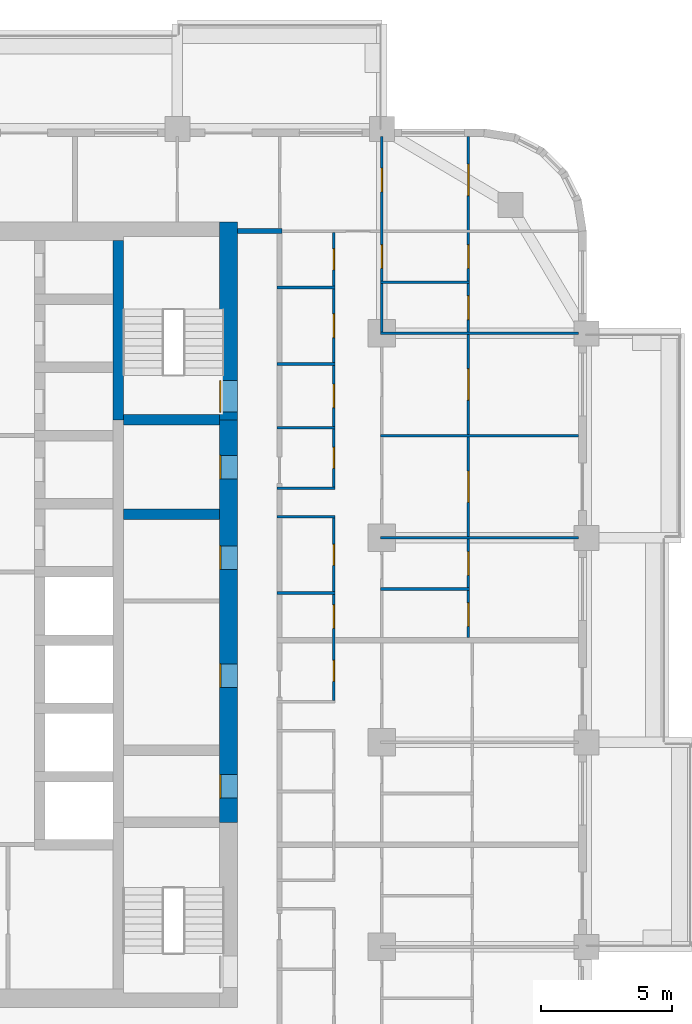
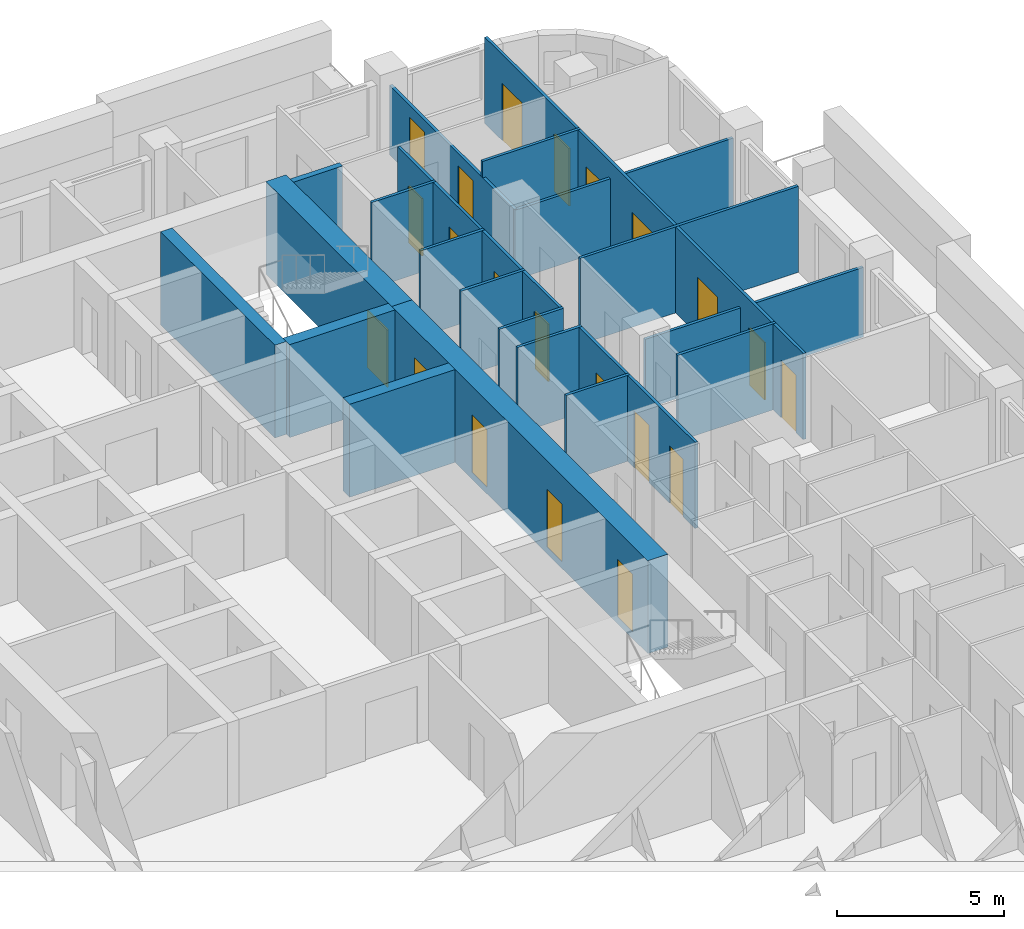
# One storey, part 12 of 17: 21 doors, 21 walls, 21 openings.
"""IFC4 building model written with IfcOpenShell, lengths in metres."""

from ifc_helpers import new_model, si_unit, direction, frame, frame_2d, origin, place, context, subcontext, project, spatial, rectangle, extrude, material, layer, layer_set, type_object, element, fill, save


model = new_model("IFC4")

# Units and contexts
model_context = context("Model", 3, precision=1e-05, world=origin(), true_north=direction((0.0, 1.0)))
body_context = subcontext(model_context, "Body", "Model", "MODEL_VIEW")
ifc_project = project(units=[si_unit("LENGTHUNIT", "METRE"), si_unit("AREAUNIT", "SQUARE_METRE"), si_unit("VOLUMEUNIT", "CUBIC_METRE"), si_unit("PLANEANGLEUNIT", "RADIAN"), si_unit("MASSUNIT", "GRAM", prefix="KILO")], contexts=[model_context])

# Site, building, storey
site_placement = place(None, origin())
site = spatial("IfcSite", under=ifc_project, at=site_placement, CompositionType="ELEMENT")
building_placement = place(site_placement, origin())
building = spatial("IfcBuilding", under=site, at=building_placement, Name="Ludao Terraces", CompositionType="ELEMENT")
storey_placement = place(building_placement, frame((0.0, 0.0, 88.60009765625)))
storey = spatial("IfcBuildingStorey", under=building, at=storey_placement, Name="L24", CompositionType="ELEMENT", Elevation=88.60009765625)

# Wall, openings, doors
ifc_material_1 = material(Name="Concrete C70", Category="concrete")
ifc_layer_1 = layer(ifc_material_1, 0.699951171875)
ifc_layer_set_1 = layer_set([ifc_layer_1], Name="Core wall 700 C70")
wall_type_1 = type_object("IfcWallType", Name="Core wall 700 C70", PredefinedType="SOLIDWALL", material=ifc_layer_set_1)
wall_1_placement = place(storey_placement, frame((94.75, 61.949951171875, -0.25), z_axis=(0.0, 0.0, 1.0), x_axis=(0.0, 1.0, 0.0)))
wall_1 = element("IfcWall", 1, at=wall_1_placement, inside=storey, type_object=wall_type_1, Name="Core wall L24 outer-E", PredefinedType="SOLIDWALL", context=body_context, shape_type="SweptSolid", body=[
    extrude(rectangle(XDim=15.35009765625, YDim=0.699951171875, at=frame_2d((7.675048828125, 0.0))), origin(), (0.0, 0.0, 1.0), 3.39990234375),
])
opening_1_placement = place(wall_1_placement, frame((0.925048828125, 0.0, 0.25)))
opening_1 = element("IfcOpeningElement", 2, at=opening_1_placement, cuts=wall_1, Name="Opening R07-080", PredefinedType="OPENING", context=body_context, shape_type="SweptSolid", body=[
    extrude(rectangle(XDim=0.89990234375, YDim=2.10009765625, at=frame_2d((0.449951171875, 1.050048828125))), frame((0.0, 0.35986328125, 0.0), z_axis=(0.0, -1.0, 0.0), x_axis=(1.0, 0.0, 0.0)), (0.0, 0.0, 1.0), 0.719970703125),
])
opening_2_placement = place(wall_1_placement, frame((5.14990234375, 0.0, 0.25)))
opening_2 = element("IfcOpeningElement", 3, at=opening_2_placement, cuts=wall_1, Name="Opening R07-091", PredefinedType="OPENING", context=body_context, shape_type="SweptSolid", body=[
    extrude(rectangle(XDim=0.89990234375, YDim=2.10009765625, at=frame_2d((0.449951171875, 1.050048828125))), frame((0.0, 0.35986328125, 0.0), z_axis=(0.0, -1.0, 0.0), x_axis=(1.0, 0.0, 0.0)), (0.0, 0.0, 1.0), 0.719970703125),
])
opening_3_placement = place(wall_1_placement, frame((9.64990234375, 0.0, 0.25)))
opening_3 = element("IfcOpeningElement", 4, at=opening_3_placement, cuts=wall_1, Name="Opening R07-108", PredefinedType="OPENING", context=body_context, shape_type="SweptSolid", body=[
    extrude(rectangle(XDim=0.89990234375, YDim=2.10009765625, at=frame_2d((0.449951171875, 1.050048828125))), frame((0.0, 0.35986328125, 0.0), z_axis=(0.0, -1.0, 0.0), x_axis=(1.0, 0.0, 0.0)), (0.0, 0.0, 1.0), 0.719970703125),
])
opening_4_placement = place(wall_1_placement, frame((13.10009765625, 0.0, 0.25)))
opening_4 = element("IfcOpeningElement", 5, at=opening_4_placement, cuts=wall_1, Name="Opening R07-120", PredefinedType="OPENING", context=body_context, shape_type="SweptSolid", body=[
    extrude(rectangle(XDim=0.89990234375, YDim=2.10009765625, at=frame_2d((0.449951171875, 1.050048828125))), frame((0.0, 0.35986328125, 0.0), z_axis=(0.0, -1.0, 0.0), x_axis=(1.0, 0.0, 0.0)), (0.0, 0.0, 1.0), 0.719970703125),
])
ifc_material_2 = material(Name="Steel Q235", Category="steel")
door_type_1 = type_object("IfcDoorType", Name="INT Riser door 900", OperationType="SINGLE_SWING_LEFT", PredefinedType="DOOR", material=ifc_material_2)
door_1_placement = place(opening_1_placement, origin())
door_1 = element("IfcDoor", 6, at=door_1_placement, inside=storey, type_object=door_type_1, Name="DOOR 080", OperationType="SINGLE_SWING_RIGHT", OverallHeight=2.10009765625, OverallWidth=0.89990234375, PredefinedType="DOOR", context=body_context, shape_type="SweptSolid", body=[
    extrude(rectangle(XDim=0.89990234375, YDim=2.10009765625, at=frame_2d((0.449951171875, 1.050048828125))), frame((0.0, 0.3349609375, 0.0), z_axis=(0.0, -1.0, 0.0), x_axis=(1.0, 0.0, 0.0)), (0.0, 0.0, 1.0), 0.050048828125),
])
fill(opening_1, door_1)
door_2_placement = place(opening_4_placement, origin())
door_2 = element("IfcDoor", 7, at=door_2_placement, inside=storey, type_object=door_type_1, Name="DOOR 120", OperationType="SINGLE_SWING_LEFT", OverallHeight=2.10009765625, OverallWidth=0.89990234375, PredefinedType="DOOR", context=body_context, shape_type="SweptSolid", body=[
    extrude(rectangle(XDim=0.89990234375, YDim=2.10009765625, at=frame_2d((0.449951171875, 1.050048828125))), frame((0.0, 0.3349609375, 0.0), z_axis=(0.0, -1.0, 0.0), x_axis=(1.0, 0.0, 0.0)), (0.0, 0.0, 1.0), 0.050048828125),
])
fill(opening_4, door_2)
ifc_material_3 = material(Name="Timber door leaf", Category="wood")
door_type_2 = type_object("IfcDoorType", Name="INT Room door 900", OperationType="SINGLE_SWING_LEFT", PredefinedType="DOOR", material=ifc_material_3)
door_3_placement = place(opening_2_placement, origin())
door_3 = element("IfcDoor", 8, at=door_3_placement, inside=storey, type_object=door_type_2, Name="DOOR 091", OperationType="SINGLE_SWING_LEFT", OverallHeight=2.10009765625, OverallWidth=0.89990234375, PredefinedType="DOOR", context=body_context, shape_type="SweptSolid", body=[
    extrude(rectangle(XDim=0.89990234375, YDim=2.10009765625, at=frame_2d((0.449951171875, 1.050048828125))), frame((0.0, 0.3349609375, 0.0), z_axis=(0.0, -1.0, 0.0), x_axis=(1.0, 0.0, 0.0)), (0.0, 0.0, 1.0), 0.050048828125),
])
fill(opening_2, door_3)
door_4_placement = place(opening_3_placement, origin())
door_4 = element("IfcDoor", 9, at=door_4_placement, inside=storey, type_object=door_type_2, Name="DOOR 108", OperationType="SINGLE_SWING_RIGHT", OverallHeight=2.10009765625, OverallWidth=0.89990234375, PredefinedType="DOOR", context=body_context, shape_type="SweptSolid", body=[
    extrude(rectangle(XDim=0.89990234375, YDim=2.10009765625, at=frame_2d((0.449951171875, 1.050048828125))), frame((0.0, 0.3349609375, 0.0), z_axis=(0.0, -1.0, 0.0), x_axis=(1.0, 0.0, 0.0)), (0.0, 0.0, 1.0), 0.050048828125),
])
fill(opening_3, door_4)

# Wall, opening, door
wall_2_placement = place(storey_placement, frame((94.75, 77.300048828125, -0.25), z_axis=(0.0, 0.0, 1.0), x_axis=(0.0, 1.0, 0.0)))
wall_2 = element("IfcWall", 10, at=wall_2_placement, inside=storey, type_object=wall_type_1, Name="Core wall L24 outer-E-S2", PredefinedType="SOLIDWALL", context=body_context, shape_type="SweptSolid", body=[
    extrude(rectangle(XDim=7.550048828125, YDim=0.699951171875, at=frame_2d((3.77490234375, 0.0))), origin(), (0.0, 0.0, 1.0), 3.39990234375),
])
opening_5_placement = place(wall_2_placement, frame((0.300048828125, 0.0, 0.25)))
opening_5 = element("IfcOpeningElement", 11, at=opening_5_placement, cuts=wall_2, Name="Opening R07-132", PredefinedType="OPENING", context=body_context, shape_type="SweptSolid", body=[
    extrude(rectangle(XDim=1.199951171875, YDim=2.10009765625, at=frame_2d((0.60009765625, 1.050048828125))), frame((0.0, 0.35986328125, 0.0), z_axis=(0.0, -1.0, 0.0), x_axis=(1.0, 0.0, 0.0)), (0.0, 0.0, 1.0), 0.719970703125),
])
door_type_3 = type_object("IfcDoorType", Name="INT Stair door 1200", OperationType="DOUBLE_DOOR_SINGLE_SWING", PredefinedType="DOOR", material=ifc_material_2)
door_5_placement = place(opening_5_placement, origin())
door_5 = element("IfcDoor", 12, at=door_5_placement, inside=storey, type_object=door_type_3, Name="DOOR 132", OperationType="DOUBLE_DOOR_SINGLE_SWING", OverallHeight=2.10009765625, OverallWidth=1.199951171875, PredefinedType="DOOR", context=body_context, shape_type="SweptSolid", body=[
    extrude(rectangle(XDim=1.199951171875, YDim=2.10009765625, at=frame_2d((0.60009765625, 1.050048828125))), frame((0.0, 0.3349609375, 0.0), z_axis=(0.0, -1.0, 0.0), x_axis=(1.0, 0.0, 0.0)), (0.0, 0.0, 1.0), 0.050048828125),
])
fill(opening_5, door_5)

# Walls
ifc_material_4 = material(Name="Autoclaved aerated concrete block B06 A3.5", Category="concrete")
ifc_layer_2 = layer(ifc_material_4, 0.199951171875)
ifc_layer_set_2 = layer_set([ifc_layer_2], Name="INT Entrance wall 200")
wall_type_2 = type_object("IfcWallType", Name="INT Entrance wall 200", PredefinedType="PARTITIONING", material=ifc_layer_set_2)
wall_3_placement = place(storey_placement, frame((95.10009765625, 84.5, 0.0), z_axis=(0.0, 0.0, 1.0), x_axis=(1.0, 0.0, 0.0)))
element("IfcWall", 13, at=wall_3_placement, inside=storey, type_object=wall_type_2, Name="PW-L24-PW077", PredefinedType="PARTITIONING", context=body_context, shape_type="SweptSolid", body=[
    extrude(rectangle(XDim=1.699951171875, YDim=0.199951171875, at=frame_2d((0.85009765625, 0.0))), origin(), (0.0, 0.0, 1.0), 3.14990234375),
])
ifc_material_5 = material(Name="Gypsum plasterboard", Category="gypsum")
ifc_layer_3 = layer(ifc_material_5, 0.012451171875, Category="gypsum")
ifc_material_6 = material(Name="Mineral wool")
ifc_layer_4 = layer(ifc_material_6, 0.06005859375, Name="insulation")
ifc_layer_5 = layer(ifc_material_2, 0.014892578125, Name="stud")
ifc_layer_6 = layer(ifc_material_5, 0.012451171875, Category="gypsum")
ifc_layer_set_3 = layer_set([ifc_layer_3, ifc_layer_4, ifc_layer_5, ifc_layer_6], Name="INT Partition 100")
wall_type_3 = type_object("IfcWallType", Name="INT Partition 100", PredefinedType="PARTITIONING", material=ifc_layer_set_3)
wall_4_placement = place(storey_placement, frame((96.60009765625, 70.699951171875, 0.0), z_axis=(0.0, 0.0, 1.0), x_axis=(1.0, 0.0, 0.0)))
element("IfcWall", 14, at=wall_4_placement, inside=storey, type_object=wall_type_3, Name="PW-L24-PW049", PredefinedType="PARTITIONING", context=body_context, shape_type="SweptSolid", body=[
    extrude(rectangle(XDim=2.219970703125, YDim=0.10009765625, at=frame_2d((1.10986328125, 0.0))), origin(), (0.0, 0.0, 1.0), 3.14990234375),
])
wall_5_placement = place(storey_placement, frame((100.550048828125, 70.85009765625, 0.0), z_axis=(0.0, 0.0, 1.0), x_axis=(1.0, 0.0, 0.0)))
element("IfcWall", 15, at=wall_5_placement, inside=storey, type_object=wall_type_3, Name="PW-L24-PW051", PredefinedType="PARTITIONING", context=body_context, shape_type="SweptSolid", body=[
    extrude(rectangle(XDim=3.400146484375, YDim=0.10009765625, at=frame_2d((1.7001953125, 0.0))), origin(), (0.0, 0.0, 1.0), 3.14990234375),
])
wall_6_placement = place(storey_placement, frame((100.550048828125, 72.800048828125, 0.0), z_axis=(0.0, 0.0, 1.0), x_axis=(1.0, 0.0, 0.0)))
element("IfcWall", 16, at=wall_6_placement, inside=storey, type_object=wall_type_3, Name="PW-L24-PW055", PredefinedType="PARTITIONING", context=body_context, shape_type="SweptSolid", body=[
    extrude(rectangle(XDim=7.550048828125, YDim=0.10009765625, at=frame_2d((3.77490234375, 0.0))), origin(), (0.0, 0.0, 1.0), 2.5498046875),
])
for number, where, z_axis, x_axis, name in (
    (17, (96.60009765625, 73.60009765625, 0.0), (0.0, 0.0, 1.0), (1.0, 0.0, 0.0), "PW-L24-PW056"),
    (18, (96.60009765625, 74.699951171875, 0.0), (0.0, 0.0, 1.0), (1.0, 0.0, 0.0), "PW-L24-PW058"),
):
    element("IfcWall", number, at=place(storey_placement, frame(where, z_axis=z_axis, x_axis=x_axis)), inside=storey, type_object=wall_type_3, Name=name, PredefinedType="PARTITIONING", context=body_context, shape_type="SweptSolid", body=[
        extrude(rectangle(XDim=2.219970703125, YDim=0.10009765625, at=frame_2d((1.10986328125, 0.0))), origin(), (0.0, 0.0, 1.0), 3.14990234375),
    ])
wall_7_placement = place(storey_placement, frame((100.550048828125, 76.699951171875, 0.0), z_axis=(0.0, 0.0, 1.0), x_axis=(1.0, 0.0, 0.0)))
element("IfcWall", 19, at=wall_7_placement, inside=storey, type_object=wall_type_3, Name="PW-L24-PW063", PredefinedType="PARTITIONING", context=body_context, shape_type="SweptSolid", body=[
    extrude(rectangle(XDim=7.550048828125, YDim=0.10009765625, at=frame_2d((3.77490234375, 0.0))), origin(), (0.0, 0.0, 1.0), 3.14990234375),
])
for number, where, z_axis, x_axis, name in (
    (20, (96.60009765625, 77.0, 0.0), (0.0, 0.0, 1.0), (1.0, 0.0, 0.0), "PW-L24-PW064"),
    (21, (96.60009765625, 79.429931640625, 0.0), (0.0, 0.0, 1.0), (1.0, 0.0, 0.0), "PW-L24-PW067"),
):
    element("IfcWall", number, at=place(storey_placement, frame(where, z_axis=z_axis, x_axis=x_axis)), inside=storey, type_object=wall_type_3, Name=name, PredefinedType="PARTITIONING", context=body_context, shape_type="SweptSolid", body=[
        extrude(rectangle(XDim=2.219970703125, YDim=0.10009765625, at=frame_2d((1.10986328125, 0.0))), origin(), (0.0, 0.0, 1.0), 3.14990234375),
    ])
wall_8_placement = place(storey_placement, frame((100.550048828125, 80.60009765625, 0.0), z_axis=(0.0, 0.0, 1.0), x_axis=(1.0, 0.0, 0.0)))
element("IfcWall", 22, at=wall_8_placement, inside=storey, type_object=wall_type_3, Name="PW-L24-PW070", PredefinedType="PARTITIONING", context=body_context, shape_type="SweptSolid", body=[
    extrude(rectangle(XDim=7.550048828125, YDim=0.10009765625, at=frame_2d((3.77490234375, 0.0))), origin(), (0.0, 0.0, 1.0), 2.5498046875),
])
wall_9_placement = place(storey_placement, frame((96.60009765625, 82.35009765625, 0.0), z_axis=(0.0, 0.0, 1.0), x_axis=(1.0, 0.0, 0.0)))
element("IfcWall", 23, at=wall_9_placement, inside=storey, type_object=wall_type_3, Name="PW-L24-PW072", PredefinedType="PARTITIONING", context=body_context, shape_type="SweptSolid", body=[
    extrude(rectangle(XDim=2.219970703125, YDim=0.10009765625, at=frame_2d((1.10986328125, 0.0))), origin(), (0.0, 0.0, 1.0), 3.14990234375),
])
wall_10_placement = place(storey_placement, frame((100.550048828125, 82.550048828125, 0.0), z_axis=(0.0, 0.0, 1.0), x_axis=(1.0, 0.0, 0.0)))
element("IfcWall", 24, at=wall_10_placement, inside=storey, type_object=wall_type_3, Name="PW-L24-PW073", PredefinedType="PARTITIONING", context=body_context, shape_type="SweptSolid", body=[
    extrude(rectangle(XDim=3.400146484375, YDim=0.10009765625, at=frame_2d((1.7001953125, 0.0))), origin(), (0.0, 0.0, 1.0), 3.14990234375),
])

# Wall, openings, doors
wall_11_placement = place(storey_placement, frame((98.77001953125, 66.60009765625, 0.0), z_axis=(0.0, 0.0, 1.0), x_axis=(0.0, 1.0, 0.0)))
wall_11 = element("IfcWall", 25, at=wall_11_placement, inside=storey, type_object=wall_type_3, Name="PW-L24-PW119", PredefinedType="PARTITIONING", context=body_context, shape_type="SweptSolid", body=[
    extrude(rectangle(XDim=6.949951171875, YDim=0.10009765625, at=frame_2d((3.47509765625, 0.0))), origin(), (0.0, 0.0, 1.0), 3.14990234375),
])
opening_6_placement = place(wall_11_placement, frame((0.72509765625, 0.0, 0.0)))
opening_6 = element("IfcOpeningElement", 26, at=opening_6_placement, cuts=wall_11, Name="Opening R07-093", PredefinedType="OPENING", context=body_context, shape_type="SweptSolid", body=[
    extrude(rectangle(XDim=0.800048828125, YDim=2.10009765625, at=frame_2d((0.39990234375, 1.050048828125))), frame((0.0, 0.06005859375, 0.0), z_axis=(0.0, -1.0, 0.0), x_axis=(1.0, 0.0, 0.0)), (0.0, 0.0, 1.0), 0.1201171875),
])
opening_7_placement = place(wall_11_placement, frame((2.75, 0.0, 0.0)))
opening_7 = element("IfcOpeningElement", 27, at=opening_7_placement, cuts=wall_11, Name="Opening R07-097", PredefinedType="OPENING", context=body_context, shape_type="SweptSolid", body=[
    extrude(rectangle(XDim=0.89990234375, YDim=2.10009765625, at=frame_2d((0.449951171875, 1.050048828125))), frame((0.0, 0.06005859375, 0.0), z_axis=(0.0, -1.0, 0.0), x_axis=(1.0, 0.0, 0.0)), (0.0, 0.0, 1.0), 0.1201171875),
])
opening_8_placement = place(wall_11_placement, frame((5.14990234375, 0.0, 0.0)))
opening_8 = element("IfcOpeningElement", 28, at=opening_8_placement, cuts=wall_11, Name="Opening R07-109", PredefinedType="OPENING", context=body_context, shape_type="SweptSolid", body=[
    extrude(rectangle(XDim=0.800048828125, YDim=2.10009765625, at=frame_2d((0.39990234375, 1.050048828125))), frame((0.0, 0.06005859375, 0.0), z_axis=(0.0, -1.0, 0.0), x_axis=(1.0, 0.0, 0.0)), (0.0, 0.0, 1.0), 0.1201171875),
])
door_type_4 = type_object("IfcDoorType", Name="INT Bathroom door 900", OperationType="SINGLE_SWING_LEFT", PredefinedType="DOOR", material=ifc_material_3)
door_6_placement = place(opening_7_placement, origin())
door_6 = element("IfcDoor", 29, at=door_6_placement, inside=storey, type_object=door_type_4, Name="DOOR 097", OperationType="SINGLE_SWING_LEFT", OverallHeight=2.10009765625, OverallWidth=0.89990234375, PredefinedType="DOOR", context=body_context, shape_type="SweptSolid", body=[
    extrude(rectangle(XDim=0.89990234375, YDim=2.10009765625, at=frame_2d((0.449951171875, 1.050048828125))), frame((0.0, 0.02490234375, 0.0), z_axis=(0.0, -1.0, 0.0), x_axis=(1.0, 0.0, 0.0)), (0.0, 0.0, 1.0), 0.050048828125),
])
fill(opening_7, door_6)
door_type_5 = type_object("IfcDoorType", Name="INT Store door 800", OperationType="SINGLE_SWING_LEFT", PredefinedType="DOOR", material=ifc_material_3)
door_7_placement = place(opening_6_placement, origin())
door_7 = element("IfcDoor", 30, at=door_7_placement, inside=storey, type_object=door_type_5, Name="DOOR 093", OperationType="SINGLE_SWING_RIGHT", OverallHeight=2.10009765625, OverallWidth=0.800048828125, PredefinedType="DOOR", context=body_context, shape_type="SweptSolid", body=[
    extrude(rectangle(XDim=0.800048828125, YDim=2.10009765625, at=frame_2d((0.39990234375, 1.050048828125))), frame((0.0, 0.02490234375, 0.0), z_axis=(0.0, -1.0, 0.0), x_axis=(1.0, 0.0, 0.0)), (0.0, 0.0, 1.0), 0.050048828125),
])
fill(opening_6, door_7)
door_8_placement = place(opening_8_placement, origin())
door_8 = element("IfcDoor", 31, at=door_8_placement, inside=storey, type_object=door_type_5, Name="DOOR 109", OperationType="SINGLE_SWING_RIGHT", OverallHeight=2.10009765625, OverallWidth=0.800048828125, PredefinedType="DOOR", context=body_context, shape_type="SweptSolid", body=[
    extrude(rectangle(XDim=0.800048828125, YDim=2.10009765625, at=frame_2d((0.39990234375, 1.050048828125))), frame((0.0, 0.02490234375, 0.0), z_axis=(0.0, -1.0, 0.0), x_axis=(1.0, 0.0, 0.0)), (0.0, 0.0, 1.0), 0.050048828125),
])
fill(opening_8, door_8)

wall_12_placement = place(storey_placement, frame((98.77001953125, 74.75, 0.0), z_axis=(0.0, 0.0, 1.0), x_axis=(0.0, 1.0, 0.0)))
wall_12 = element("IfcWall", 32, at=wall_12_placement, inside=storey, type_object=wall_type_3, Name="PW-L24-PW120", PredefinedType="PARTITIONING", context=body_context, shape_type="SweptSolid", body=[
    extrude(rectangle(XDim=9.7001953125, YDim=0.10009765625, at=frame_2d((4.85009765625, 0.0))), origin(), (0.0, 0.0, 1.0), 3.14990234375),
])
opening_9_placement = place(wall_12_placement, frame((0.7001953125, 0.0, 0.0)))
opening_9 = element("IfcOpeningElement", 33, at=opening_9_placement, cuts=wall_12, Name="Opening R07-123", PredefinedType="OPENING", context=body_context, shape_type="SweptSolid", body=[
    extrude(rectangle(XDim=0.800048828125, YDim=2.10009765625, at=frame_2d((0.39990234375, 1.050048828125))), frame((0.0, 0.06005859375, 0.0), z_axis=(0.0, -1.0, 0.0), x_axis=(1.0, 0.0, 0.0)), (0.0, 0.0, 1.0), 0.1201171875),
])
opening_10_placement = place(wall_12_placement, frame((3.01513671875, 0.0, 0.0)))
opening_10 = element("IfcOpeningElement", 34, at=opening_10_placement, cuts=wall_12, Name="Opening R07-133", PredefinedType="OPENING", context=body_context, shape_type="SweptSolid", body=[
    extrude(rectangle(XDim=0.89990234375, YDim=2.10009765625, at=frame_2d((0.449951171875, 1.050048828125))), frame((0.0, 0.06005859375, 0.0), z_axis=(0.0, -1.0, 0.0), x_axis=(1.0, 0.0, 0.0)), (0.0, 0.0, 1.0), 0.1201171875),
])
opening_11_placement = place(wall_12_placement, frame((5.690185546875, 0.0, 0.0)))
opening_11 = element("IfcOpeningElement", 35, at=opening_11_placement, cuts=wall_12, Name="Opening R07-141", PredefinedType="OPENING", context=body_context, shape_type="SweptSolid", body=[
    extrude(rectangle(XDim=0.89990234375, YDim=2.10009765625, at=frame_2d((0.449951171875, 1.050048828125))), frame((0.0, 0.06005859375, 0.0), z_axis=(0.0, -1.0, 0.0), x_axis=(1.0, 0.0, 0.0)), (0.0, 0.0, 1.0), 0.1201171875),
])
opening_12_placement = place(wall_12_placement, frame((8.275146484375, 0.0, 0.0)))
opening_12 = element("IfcOpeningElement", 36, at=opening_12_placement, cuts=wall_12, Name="Opening R07-149", PredefinedType="OPENING", context=body_context, shape_type="SweptSolid", body=[
    extrude(rectangle(XDim=0.800048828125, YDim=2.10009765625, at=frame_2d((0.39990234375, 1.050048828125))), frame((0.0, 0.06005859375, 0.0), z_axis=(0.0, -1.0, 0.0), x_axis=(1.0, 0.0, 0.0)), (0.0, 0.0, 1.0), 0.1201171875),
])
door_9_placement = place(opening_10_placement, origin())
door_9 = element("IfcDoor", 37, at=door_9_placement, inside=storey, type_object=door_type_4, Name="DOOR 133", OperationType="SINGLE_SWING_LEFT", OverallHeight=2.10009765625, OverallWidth=0.89990234375, PredefinedType="DOOR", context=body_context, shape_type="SweptSolid", body=[
    extrude(rectangle(XDim=0.89990234375, YDim=2.10009765625, at=frame_2d((0.449951171875, 1.050048828125))), frame((0.0, 0.02490234375, 0.0), z_axis=(0.0, -1.0, 0.0), x_axis=(1.0, 0.0, 0.0)), (0.0, 0.0, 1.0), 0.050048828125),
])
fill(opening_10, door_9)
door_10_placement = place(opening_11_placement, origin())
door_10 = element("IfcDoor", 38, at=door_10_placement, inside=storey, type_object=door_type_2, Name="DOOR 141", OperationType="SINGLE_SWING_LEFT", OverallHeight=2.10009765625, OverallWidth=0.89990234375, PredefinedType="DOOR", context=body_context, shape_type="SweptSolid", body=[
    extrude(rectangle(XDim=0.89990234375, YDim=2.10009765625, at=frame_2d((0.449951171875, 1.050048828125))), frame((0.0, 0.02490234375, 0.0), z_axis=(0.0, -1.0, 0.0), x_axis=(1.0, 0.0, 0.0)), (0.0, 0.0, 1.0), 0.050048828125),
])
fill(opening_11, door_10)
door_11_placement = place(opening_9_placement, origin())
door_11 = element("IfcDoor", 39, at=door_11_placement, inside=storey, type_object=door_type_5, Name="DOOR 123", OperationType="SINGLE_SWING_LEFT", OverallHeight=2.10009765625, OverallWidth=0.800048828125, PredefinedType="DOOR", context=body_context, shape_type="SweptSolid", body=[
    extrude(rectangle(XDim=0.800048828125, YDim=2.10009765625, at=frame_2d((0.39990234375, 1.050048828125))), frame((0.0, 0.02490234375, 0.0), z_axis=(0.0, -1.0, 0.0), x_axis=(1.0, 0.0, 0.0)), (0.0, 0.0, 1.0), 0.050048828125),
])
fill(opening_9, door_11)
door_12_placement = place(opening_12_placement, origin())
door_12 = element("IfcDoor", 40, at=door_12_placement, inside=storey, type_object=door_type_5, Name="DOOR 149", OperationType="SINGLE_SWING_LEFT", OverallHeight=2.10009765625, OverallWidth=0.800048828125, PredefinedType="DOOR", context=body_context, shape_type="SweptSolid", body=[
    extrude(rectangle(XDim=0.800048828125, YDim=2.10009765625, at=frame_2d((0.39990234375, 1.050048828125))), frame((0.0, 0.02490234375, 0.0), z_axis=(0.0, -1.0, 0.0), x_axis=(1.0, 0.0, 0.0)), (0.0, 0.0, 1.0), 0.050048828125),
])
fill(opening_12, door_12)

wall_13_placement = place(storey_placement, frame((100.60009765625, 80.60009765625, 0.0), z_axis=(0.0, 0.0, 1.0), x_axis=(0.0, 1.0, 0.0)))
wall_13 = element("IfcWall", 41, at=wall_13_placement, inside=storey, type_object=wall_type_3, Name="PW-L24-PW121-3", PredefinedType="PARTITIONING", context=body_context, shape_type="SweptSolid", body=[
    extrude(rectangle(XDim=7.5, YDim=0.10009765625, at=frame_2d((3.75, 0.0))), origin(), (0.0, 0.0, 1.0), 2.5498046875),
])
opening_13_placement = place(wall_13_placement, frame((2.47509765625, 0.0, 0.0)))
opening_13 = element("IfcOpeningElement", 42, at=opening_13_placement, cuts=wall_13, Name="Opening R07-150", PredefinedType="OPENING", context=body_context, shape_type="SweptSolid", body=[
    extrude(rectangle(XDim=0.89990234375, YDim=2.10009765625, at=frame_2d((0.449951171875, 1.050048828125))), frame((0.0, 0.06005859375, 0.0), z_axis=(0.0, -1.0, 0.0), x_axis=(1.0, 0.0, 0.0)), (0.0, 0.0, 1.0), 0.1201171875),
])
opening_14_placement = place(wall_13_placement, frame((5.39990234375, 0.0, 0.0)))
opening_14 = element("IfcOpeningElement", 43, at=opening_14_placement, cuts=wall_13, Name="Opening R07-163", PredefinedType="OPENING", context=body_context, shape_type="SweptSolid", body=[
    extrude(rectangle(XDim=0.89990234375, YDim=2.10009765625, at=frame_2d((0.449951171875, 1.050048828125))), frame((0.0, 0.06005859375, 0.0), z_axis=(0.0, -1.0, 0.0), x_axis=(1.0, 0.0, 0.0)), (0.0, 0.0, 1.0), 0.1201171875),
])
door_13_placement = place(opening_13_placement, origin())
door_13 = element("IfcDoor", 44, at=door_13_placement, inside=storey, type_object=door_type_2, Name="DOOR 150", OperationType="SINGLE_SWING_RIGHT", OverallHeight=2.10009765625, OverallWidth=0.89990234375, PredefinedType="DOOR", context=body_context, shape_type="SweptSolid", body=[
    extrude(rectangle(XDim=0.89990234375, YDim=2.10009765625, at=frame_2d((0.449951171875, 1.050048828125))), frame((0.0, 0.02490234375, 0.0), z_axis=(0.0, -1.0, 0.0), x_axis=(1.0, 0.0, 0.0)), (0.0, 0.0, 1.0), 0.050048828125),
])
fill(opening_13, door_13)
door_14_placement = place(opening_14_placement, origin())
door_14 = element("IfcDoor", 45, at=door_14_placement, inside=storey, type_object=door_type_2, Name="DOOR 163", OperationType="SINGLE_SWING_LEFT", OverallHeight=2.10009765625, OverallWidth=0.89990234375, PredefinedType="DOOR", context=body_context, shape_type="SweptSolid", body=[
    extrude(rectangle(XDim=0.89990234375, YDim=2.10009765625, at=frame_2d((0.449951171875, 1.050048828125))), frame((0.0, 0.02490234375, 0.0), z_axis=(0.0, -1.0, 0.0), x_axis=(1.0, 0.0, 0.0)), (0.0, 0.0, 1.0), 0.050048828125),
])
fill(opening_14, door_14)

wall_14_placement = place(storey_placement, frame((103.89990234375, 69.0, 0.0), z_axis=(0.0, 0.0, 1.0), x_axis=(0.0, 1.0, 0.0)))
wall_14 = element("IfcWall", 46, at=wall_14_placement, inside=storey, type_object=wall_type_3, Name="PW-L24-PW122", PredefinedType="PARTITIONING", context=body_context, shape_type="SweptSolid", body=[
    extrude(rectangle(XDim=19.10009765625, YDim=0.10009765625, at=frame_2d((9.550048828125, 0.0))), origin(), (0.0, 0.0, 1.0), 3.14990234375),
])
opening_15_placement = place(wall_14_placement, frame((0.425048828125, 0.0, 0.0)))
opening_15 = element("IfcOpeningElement", 47, at=opening_15_placement, cuts=wall_14, Name="Opening R07-099", PredefinedType="OPENING", context=body_context, shape_type="SweptSolid", body=[
    extrude(rectangle(XDim=0.89990234375, YDim=2.10009765625, at=frame_2d((0.449951171875, 1.050048828125))), frame((0.0, 0.06005859375, 0.0), z_axis=(0.0, -1.0, 0.0), x_axis=(1.0, 0.0, 0.0)), (0.0, 0.0, 1.0), 0.1201171875),
])
opening_16_placement = place(wall_14_placement, frame((2.375, 0.0, 0.0)))
opening_16 = element("IfcOpeningElement", 48, at=opening_16_placement, cuts=wall_14, Name="Opening R07-107", PredefinedType="OPENING", context=body_context, shape_type="SweptSolid", body=[
    extrude(rectangle(XDim=0.89990234375, YDim=2.10009765625, at=frame_2d((0.449951171875, 1.050048828125))), frame((0.0, 0.06005859375, 0.0), z_axis=(0.0, -1.0, 0.0), x_axis=(1.0, 0.0, 0.0)), (0.0, 0.0, 1.0), 0.1201171875),
])
opening_17_placement = place(wall_14_placement, frame((5.150146484375, 0.0, 0.0)))
opening_17 = element("IfcOpeningElement", 49, at=opening_17_placement, cuts=wall_14, Name="Opening R07-115", PredefinedType="OPENING", context=body_context, shape_type="SweptSolid", body=[
    extrude(rectangle(XDim=1.199951171875, YDim=2.10009765625, at=frame_2d((0.60009765625, 1.050048828125))), frame((0.0, 0.06005859375, 0.0), z_axis=(0.0, -1.0, 0.0), x_axis=(1.0, 0.0, 0.0)), (0.0, 0.0, 1.0), 0.1201171875),
])
opening_18_placement = place(wall_14_placement, frame((9.050048828125, 0.0, 0.0)))
opening_18 = element("IfcOpeningElement", 50, at=opening_18_placement, cuts=wall_14, Name="Opening R07-135", PredefinedType="OPENING", context=body_context, shape_type="SweptSolid", body=[
    extrude(rectangle(XDim=1.199951171875, YDim=2.10009765625, at=frame_2d((0.60009765625, 1.050048828125))), frame((0.0, 0.06005859375, 0.0), z_axis=(0.0, -1.0, 0.0), x_axis=(1.0, 0.0, 0.0)), (0.0, 0.0, 1.0), 0.1201171875),
])
opening_19_placement = place(wall_14_placement, frame((12.125, 0.0, 0.0)))
opening_19 = element("IfcOpeningElement", 51, at=opening_19_placement, cuts=wall_14, Name="Opening R07-144", PredefinedType="OPENING", context=body_context, shape_type="SweptSolid", body=[
    extrude(rectangle(XDim=0.89990234375, YDim=2.10009765625, at=frame_2d((0.449951171875, 1.050048828125))), frame((0.0, 0.06005859375, 0.0), z_axis=(0.0, -1.0, 0.0), x_axis=(1.0, 0.0, 0.0)), (0.0, 0.0, 1.0), 0.1201171875),
])
opening_20_placement = place(wall_14_placement, frame((14.0751953125, 0.0, 0.0)))
opening_20 = element("IfcOpeningElement", 52, at=opening_20_placement, cuts=wall_14, Name="Opening R07-151", PredefinedType="OPENING", context=body_context, shape_type="SweptSolid", body=[
    extrude(rectangle(XDim=0.89990234375, YDim=2.10009765625, at=frame_2d((0.449951171875, 1.050048828125))), frame((0.0, 0.06005859375, 0.0), z_axis=(0.0, -1.0, 0.0), x_axis=(1.0, 0.0, 0.0)), (0.0, 0.0, 1.0), 0.1201171875),
])
opening_21_placement = place(wall_14_placement, frame((16.85009765625, 0.0, 0.0)))
opening_21 = element("IfcOpeningElement", 53, at=opening_21_placement, cuts=wall_14, Name="Opening R07-164", PredefinedType="OPENING", context=body_context, shape_type="SweptSolid", body=[
    extrude(rectangle(XDim=1.199951171875, YDim=2.10009765625, at=frame_2d((0.60009765625, 1.050048828125))), frame((0.0, 0.06005859375, 0.0), z_axis=(0.0, -1.0, 0.0), x_axis=(1.0, 0.0, 0.0)), (0.0, 0.0, 1.0), 0.1201171875),
])
door_15_placement = place(opening_15_placement, origin())
door_15 = element("IfcDoor", 54, at=door_15_placement, inside=storey, type_object=door_type_4, Name="DOOR 099", OperationType="SINGLE_SWING_LEFT", OverallHeight=2.10009765625, OverallWidth=0.89990234375, PredefinedType="DOOR", context=body_context, shape_type="SweptSolid", body=[
    extrude(rectangle(XDim=0.89990234375, YDim=2.10009765625, at=frame_2d((0.449951171875, 1.050048828125))), frame((0.0, 0.02490234375, 0.0), z_axis=(0.0, -1.0, 0.0), x_axis=(1.0, 0.0, 0.0)), (0.0, 0.0, 1.0), 0.050048828125),
])
fill(opening_15, door_15)
door_16_placement = place(opening_19_placement, origin())
door_16 = element("IfcDoor", 55, at=door_16_placement, inside=storey, type_object=door_type_4, Name="DOOR 144", OperationType="SINGLE_SWING_LEFT", OverallHeight=2.10009765625, OverallWidth=0.89990234375, PredefinedType="DOOR", context=body_context, shape_type="SweptSolid", body=[
    extrude(rectangle(XDim=0.89990234375, YDim=2.10009765625, at=frame_2d((0.449951171875, 1.050048828125))), frame((0.0, 0.02490234375, 0.0), z_axis=(0.0, -1.0, 0.0), x_axis=(1.0, 0.0, 0.0)), (0.0, 0.0, 1.0), 0.050048828125),
])
fill(opening_19, door_16)
door_type_6 = type_object("IfcDoorType", Name="INT Double door 1200", OperationType="DOUBLE_DOOR_SINGLE_SWING", PredefinedType="DOOR", material=ifc_material_3)
door_17_placement = place(opening_17_placement, origin())
door_17 = element("IfcDoor", 56, at=door_17_placement, inside=storey, type_object=door_type_6, Name="DOOR 115", OperationType="DOUBLE_DOOR_SINGLE_SWING", OverallHeight=2.10009765625, OverallWidth=1.199951171875, PredefinedType="DOOR", context=body_context, shape_type="SweptSolid", body=[
    extrude(rectangle(XDim=1.199951171875, YDim=2.10009765625, at=frame_2d((0.60009765625, 1.050048828125))), frame((0.0, 0.02490234375, 0.0), z_axis=(0.0, -1.0, 0.0), x_axis=(1.0, 0.0, 0.0)), (0.0, 0.0, 1.0), 0.050048828125),
])
fill(opening_17, door_17)
door_18_placement = place(opening_18_placement, origin())
door_18 = element("IfcDoor", 57, at=door_18_placement, inside=storey, type_object=door_type_6, Name="DOOR 135", OperationType="DOUBLE_DOOR_SINGLE_SWING", OverallHeight=2.10009765625, OverallWidth=1.199951171875, PredefinedType="DOOR", context=body_context, shape_type="SweptSolid", body=[
    extrude(rectangle(XDim=1.199951171875, YDim=2.10009765625, at=frame_2d((0.60009765625, 1.050048828125))), frame((0.0, 0.02490234375, 0.0), z_axis=(0.0, -1.0, 0.0), x_axis=(1.0, 0.0, 0.0)), (0.0, 0.0, 1.0), 0.050048828125),
])
fill(opening_18, door_18)
door_19_placement = place(opening_21_placement, origin())
door_19 = element("IfcDoor", 58, at=door_19_placement, inside=storey, type_object=door_type_6, Name="DOOR 164", OperationType="DOUBLE_DOOR_SINGLE_SWING", OverallHeight=2.10009765625, OverallWidth=1.199951171875, PredefinedType="DOOR", context=body_context, shape_type="SweptSolid", body=[
    extrude(rectangle(XDim=1.199951171875, YDim=2.10009765625, at=frame_2d((0.60009765625, 1.050048828125))), frame((0.0, 0.02490234375, 0.0), z_axis=(0.0, -1.0, 0.0), x_axis=(1.0, 0.0, 0.0)), (0.0, 0.0, 1.0), 0.050048828125),
])
fill(opening_21, door_19)
door_20_placement = place(opening_16_placement, origin())
door_20 = element("IfcDoor", 59, at=door_20_placement, inside=storey, type_object=door_type_2, Name="DOOR 107", OperationType="SINGLE_SWING_RIGHT", OverallHeight=2.10009765625, OverallWidth=0.89990234375, PredefinedType="DOOR", context=body_context, shape_type="SweptSolid", body=[
    extrude(rectangle(XDim=0.89990234375, YDim=2.10009765625, at=frame_2d((0.449951171875, 1.050048828125))), frame((0.0, 0.02490234375, 0.0), z_axis=(0.0, -1.0, 0.0), x_axis=(1.0, 0.0, 0.0)), (0.0, 0.0, 1.0), 0.050048828125),
])
fill(opening_16, door_20)
door_21_placement = place(opening_20_placement, origin())
door_21 = element("IfcDoor", 60, at=door_21_placement, inside=storey, type_object=door_type_2, Name="DOOR 151", OperationType="SINGLE_SWING_LEFT", OverallHeight=2.10009765625, OverallWidth=0.89990234375, PredefinedType="DOOR", context=body_context, shape_type="SweptSolid", body=[
    extrude(rectangle(XDim=0.89990234375, YDim=2.10009765625, at=frame_2d((0.449951171875, 1.050048828125))), frame((0.0, 0.02490234375, 0.0), z_axis=(0.0, -1.0, 0.0), x_axis=(1.0, 0.0, 0.0)), (0.0, 0.0, 1.0), 0.050048828125),
])
fill(opening_20, door_21)

# Walls
ifc_material_7 = material(Name="Concrete C60", Category="concrete")
ifc_layer_7 = layer(ifc_material_7, 0.39990234375)
ifc_layer_set_4 = layer_set([ifc_layer_7], Name="Shaft wall 400 C60")
wall_type_4 = type_object("IfcWallType", Name="Shaft wall 400 C60", PredefinedType="SOLIDWALL", material=ifc_layer_set_4)
wall_15_placement = place(storey_placement, frame((90.550048828125, 77.300048828125, -0.25), z_axis=(0.0, 0.0, 1.0), x_axis=(0.0, 1.0, 0.0)))
element("IfcWall", 61, at=wall_15_placement, inside=storey, type_object=wall_type_4, Name="Core wall L24 back-E-S2", PredefinedType="SOLIDWALL", context=body_context, shape_type="SweptSolid", body=[
    extrude(rectangle(XDim=6.849853515625, YDim=0.39990234375, at=frame_2d((3.4248046875, 0.0))), origin(), (0.0, 0.0, 1.0), 3.39990234375),
])
for number, where, z_axis, x_axis, name in (
    (62, (90.75, 73.699951171875, -0.25), (0.0, 0.0, 1.0), (1.0, 0.0, 0.0), "Core wall L24 riser-b-E"),
    (63, (90.75, 77.300048828125, -0.25), (0.0, 0.0, 1.0), (1.0, 0.0, 0.0), "Core wall L24 stair-E"),
):
    element("IfcWall", number, at=place(storey_placement, frame(where, z_axis=z_axis, x_axis=x_axis)), inside=storey, type_object=wall_type_4, Name=name, PredefinedType="SOLIDWALL", context=body_context, shape_type="SweptSolid", body=[
        extrude(rectangle(XDim=3.64990234375, YDim=0.39990234375, at=frame_2d((1.824951171875, 0.0))), origin(), (0.0, 0.0, 1.0), 3.39990234375),
    ])

save(model, "model.ifc")
